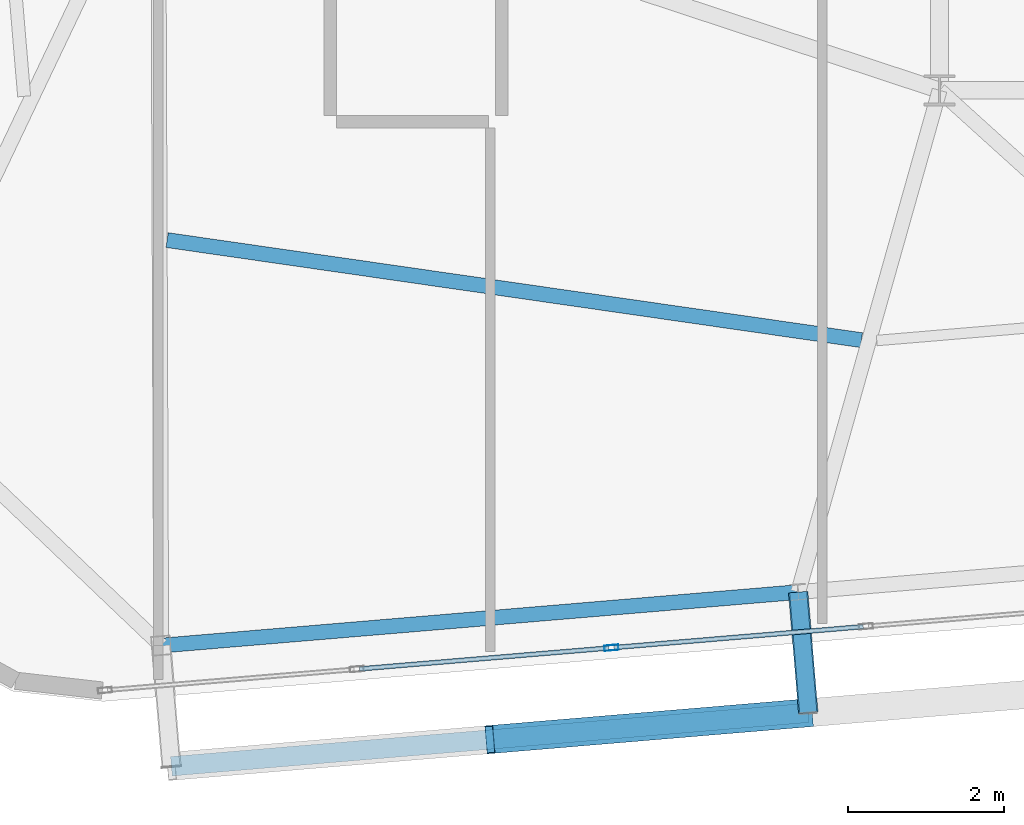
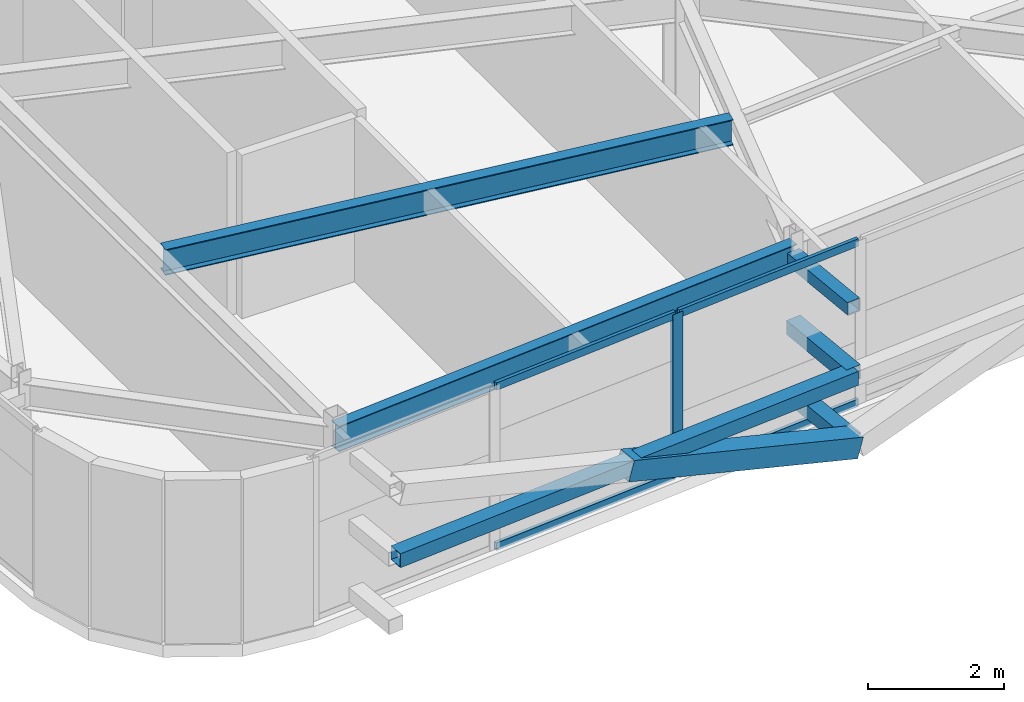
# One storey, part 8 of 46: 10 members, 2 beams, 1 element without a shape of its own.
"""IFC4 building model written with IfcOpenShell, lengths in metres."""

from ifc_helpers import new_model, si_unit, direction, frame, origin, origin_2d, place, context, subcontext, project, spatial, hollow_rectangle, i_section, extrude, source, transform, mapped, material, layer, layer_set, material_profile, profile_set, type_object, element, aggregate, save


model = new_model("IFC4")

# Units and contexts
model_context = context("Model", 3, precision=1e-05, world=origin(), true_north=direction((0.0, 1.0)))
body_context = subcontext(model_context, "Body", "Model", "MODEL_VIEW")
ifc_project = project(units=[si_unit("LENGTHUNIT", "METRE"), si_unit("AREAUNIT", "SQUARE_METRE"), si_unit("VOLUMEUNIT", "CUBIC_METRE"), si_unit("PLANEANGLEUNIT", "RADIAN"), si_unit("MASSUNIT", "GRAM", prefix="KILO")], contexts=[model_context])

# Site, building, storey
site_placement = place(None, origin())
site = spatial("IfcSite", under=ifc_project, at=site_placement, CompositionType="ELEMENT")
building_placement = place(site_placement, origin())
building = spatial("IfcBuilding", under=site, at=building_placement, Name="Taldren Reach Tower", CompositionType="ELEMENT")
storey_placement = place(building_placement, frame((0.0, 0.0, 194.60009765625)))
storey = spatial("IfcBuildingStorey", under=building, at=storey_placement, Name="L59", CompositionType="ELEMENT", Elevation=194.60009765625)

# Members
ifc_material_1 = material(Name="Steel Gr 350 (C350L0)", Category="steel")
ifc_material_profile_1 = material_profile(ifc_material_1, hollow_rectangle(XDim=0.25, YDim=0.25, WallThickness=0.010009765625, at=origin_2d()), Name="250x250x10.0SHS")
ifc_profile_set_1 = profile_set([ifc_material_profile_1], Name="Steel Gr 350 (C350L0)")
member_type_1 = type_object("IfcMemberType", Name="MB-POST250", PredefinedType="POST", material=ifc_profile_set_1)
shared_shape_1 = source(origin(), body_context, "Body", "SweptSolid", [
    extrude(hollow_rectangle(XDim=0.25, YDim=0.25, WallThickness=0.010009765625, at=origin_2d()), origin(), (0.0, 0.0, 1.0), 1.550048828125),
])
for number, where, z_axis, x_axis, name in (
    (1, (26.19091796875, 2.778564453125, 0.219970703125), (0.083632013783, -0.996496706603, 0.0), (0.996496706603, 0.083632013783, 0.0), "Exoskeleton base diaphragm tie strut B4-S2 L59"),
    (2, (26.19091796875, 2.778564453125, 1.434814453125), (0.083632013783, -0.996496706603, 0.0), (0.996496706603, 0.083632013783, 0.0), "Exoskeleton mid-tier diaphragm tie B4-S2 L59"),
):
    element("IfcMember", number, at=place(storey_placement, frame(where, z_axis=z_axis, x_axis=x_axis)), inside=storey, type_object=member_type_1, Name=name, PredefinedType="POST", context=body_context, shape_type="MappedRepresentation", body=[
        mapped(shared_shape_1, transform((0.0, 0.0, 0.0), scale=1.0)),
    ])

# Beams
ifc_material_2 = material(Name="Steel Gr 350 (350PLUS)", Category="steel")
ifc_material_profile_2 = material_profile(ifc_material_2, i_section(OverallWidth=0.18994140625, OverallDepth=0.4541015625, WebThickness=0.008544921875, FlangeThickness=0.0126953125, at=origin_2d()), Name="460UB67.1")
ifc_profile_set_2 = profile_set([ifc_material_profile_2], Name="Steel Gr 350 (350PLUS)")
beam_type_1 = type_object("IfcBeamType", Name="SP-UB460B", PredefinedType="SPANDREL", material=ifc_profile_set_2)
shared_shape_2 = source(origin(), body_context, "Body", "SweptSolid", [
    extrude(i_section(OverallWidth=0.18994140625, OverallDepth=0.4541015625, WebThickness=0.008544921875, FlangeThickness=0.0126953125, at=origin_2d()), origin(), (0.0, 0.0, 1.0), 8.18017578125),
])
beam_1_placement = place(storey_placement, frame((18.03955078125, 2.093994140625, 2.702880859375), z_axis=(0.996492034688, 0.083687662192, 0.0), x_axis=(-0.083687662192, 0.996492034688, 0.0)))
element("IfcBeam", 3, at=beam_1_placement, inside=storey, type_object=beam_type_1, Name="Perimeter spandrel B4 S1-S2 L59", PredefinedType="SPANDREL", context=body_context, shape_type="MappedRepresentation", body=[
    mapped(shared_shape_2, transform((0.0, 0.0, 0.0), scale=1.0)),
])
ifc_material_profile_3 = material_profile(ifc_material_2, i_section(OverallWidth=0.19091796875, OverallDepth=0.4599609375, WebThickness=0.010009765625, FlangeThickness=0.01611328125, at=origin_2d()), Name="460UB82.1")
ifc_profile_set_3 = profile_set([ifc_material_profile_3], Name="Steel Gr 350 (350PLUS)")
beam_type_2 = type_object("IfcBeamType", Name="BM-UB460A", PredefinedType="BEAM", material=ifc_profile_set_3)
shared_shape_3 = source(origin(), body_context, "Body", "SweptSolid", [
    extrude(i_section(OverallWidth=0.19091796875, OverallDepth=0.4599609375, WebThickness=0.010009765625, FlangeThickness=0.01611328125, at=origin_2d()), origin(), (0.0, 0.0, 1.0), 8.9765625),
])
beam_2_placement = place(storey_placement, frame((18.115478515625, 7.283203125, 2.699951171875), z_axis=(0.989776873291, -0.142624475806, 0.0), x_axis=(0.142624475806, 0.989776873291, 0.0)))
element("IfcBeam", 4, at=beam_2_placement, inside=storey, type_object=beam_type_2, Name="Secondary floor beam B4 J1 L59", PredefinedType="BEAM", context=body_context, shape_type="MappedRepresentation", body=[
    mapped(shared_shape_3, transform((0.0, 0.0, 0.0), scale=1.0)),
])

# Members
ifc_material_3 = material(Name="Steel Gr 450 (C450L0)", Category="steel")
ifc_material_profile_4 = material_profile(ifc_material_3, hollow_rectangle(XDim=0.219970703125, YDim=0.219970703125, WallThickness=0.00830078125, at=origin_2d()), Name="220x220x8.2SHS")
ifc_profile_set_4 = profile_set([ifc_material_profile_4], Name="Steel Gr 450 (C450L0)")
member_type_2 = type_object("IfcMemberType", Name="MB-TIE219", PredefinedType="STRUT", material=ifc_profile_set_4)
shared_shape_4 = source(origin(), body_context, "Body", "SweptSolid", [
    extrude(hollow_rectangle(XDim=0.219970703125, YDim=0.219970703125, WallThickness=0.00830078125, at=origin_2d()), origin(), (0.0, 0.0, 1.0), 1.550048828125),
])
member_1_placement = place(storey_placement, frame((26.19091796875, 2.778564453125, 2.64990234375), z_axis=(0.083632013783, -0.996496706603, 0.0), x_axis=(0.996496706603, 0.083632013783, 0.0)))
element("IfcMember", 5, at=member_1_placement, inside=storey, type_object=member_type_2, Name="Exoskeleton diaphragm tie strut B4-S2 L59", PredefinedType="STRUT", context=body_context, shape_type="MappedRepresentation", body=[
    mapped(shared_shape_4, transform((0.0, 0.0, 0.0), scale=1.0)),
])
shared_shape_5 = source(origin(), body_context, "Body", "SweptSolid", [
    extrude(hollow_rectangle(XDim=0.25, YDim=0.25, WallThickness=0.010009765625, at=origin_2d()), origin(), (0.0, 0.0, 1.0), 8.1796875),
])
member_2_placement = place(storey_placement, frame((18.16943359375, 0.549560546875, 1.434814453125), z_axis=(0.996494314327, 0.083660513465, 0.0), x_axis=(-0.083660513465, 0.996494314327, 0.0)))
element("IfcMember", 6, at=member_2_placement, inside=storey, type_object=member_type_1, Name="Exoskeleton mid-height ring chord B4-S1 L59", PredefinedType="POST", context=body_context, shape_type="MappedRepresentation", body=[
    mapped(shared_shape_5, transform((0.0, 0.0, 0.0), scale=1.0)),
])
ifc_material_profile_5 = material_profile(ifc_material_3, hollow_rectangle(XDim=0.360107421875, YDim=0.360107421875, WallThickness=0.0126953125, at=origin_2d()), Name="360x360x12.7SHS")
ifc_profile_set_5 = profile_set([ifc_material_profile_5], Name="Steel Gr 450 (C450L0)")
member_type_3 = type_object("IfcMemberType", Name="MB-EXO356", PredefinedType="BRACE", material=ifc_profile_set_5)
shared_shape_6 = source(origin(), body_context, "Body", "SweptSolid", [
    extrude(hollow_rectangle(XDim=0.360107421875, YDim=0.360107421875, WallThickness=0.0126953125, at=origin_2d()), origin(), (0.0, 0.0, 1.0), 4.266357421875),
])
member_3_placement = place(storey_placement, frame((26.320556640625, 1.23388671875, 0.219970703125), z_axis=(-0.955239715981, -0.080228004661, 0.28474647018), x_axis=(0.083692640416, -0.996491616593, 0.0)))
element("IfcMember", 7, at=member_3_placement, inside=storey, type_object=member_type_3, Name="Exoskeleton Diagrid Brace B4-S1 L59", PredefinedType="BRACE", context=body_context, shape_type="MappedRepresentation", body=[
    mapped(shared_shape_6, transform((0.0, 0.0, 0.0), scale=1.0)),
])

# Curtain wall, members
ifc_material_4 = material(Name="Aluminium and Low-E Glass Unitised System", Category="aluminium")
ifc_layer = layer(ifc_material_4, 0.159912109375)
ifc_layer_set = layer_set([ifc_layer], Name="Aluminium and Low-E Glass Unitised System")
curtain_wall_type = type_object("IfcCurtainWallType", Name="CW-SYS-5", PredefinedType="NOTDEFINED", material=ifc_layer_set)
curtain_wall_placement = place(storey_placement, origin())
curtain_wall = element("IfcCurtainWall", 8, at=curtain_wall_placement, inside=storey, type_object=curtain_wall_type, Name="Unitised curtain wall CW-L59-S", PredefinedType="NOTDEFINED")
ifc_material_5 = material(Name="Anodised Aluminium 6063-T6", Category="aluminium")
ifc_material_profile_6 = material_profile(ifc_material_5, hollow_rectangle(XDim=0.070068359375, YDim=0.179931640625, WallThickness=0.00390625, at=origin_2d()), Name="ALU-180x70x4RHS")
ifc_profile_set_6 = profile_set([ifc_material_profile_6], Name="Anodised Aluminium 6063-T6")
member_type_4 = type_object("IfcMemberType", Name="CW-MUL-180", PredefinedType="MULLION", material=ifc_profile_set_6)
shared_shape_7 = source(origin(), body_context, "Body", "SweptSolid", [
    extrude(hollow_rectangle(XDim=0.070068359375, YDim=0.179931640625, WallThickness=0.00390625, at=origin_2d()), origin(), (0.0, 0.0, 1.0), 2.929931640625),
])
member_4_placement = place(storey_placement, frame((23.80078125, 2.06591796875, 0.0), z_axis=(0.0, 0.0, 1.0), x_axis=(-0.083677894865, 0.996492854922, 0.0)))
member_4 = element("IfcMember", 9, at=member_4_placement, type_object=member_type_4, Name="CW-5 mullion 3", PredefinedType="MULLION", context=body_context, shape_type="MappedRepresentation", body=[
    mapped(shared_shape_7, transform((0.0, 0.0, 0.0), scale=1.0)),
])
ifc_material_profile_7 = material_profile(ifc_material_5, hollow_rectangle(XDim=0.06005859375, YDim=0.135009765625, WallThickness=0.00341796875, at=origin_2d()), Name="ALU-135x60x3.5RHS")
ifc_profile_set_7 = profile_set([ifc_material_profile_7], Name="Anodised Aluminium 6063-T6")
member_type_5 = type_object("IfcMemberType", Name="CW-TRN-150", PredefinedType="USERDEFINED", material=ifc_profile_set_7)
shared_shape_8 = source(origin(), body_context, "Body", "SweptSolid", [
    extrude(hollow_rectangle(XDim=0.06005859375, YDim=0.135009765625, WallThickness=0.00341796875, at=origin_2d()), origin(), (0.0, 0.0, 1.0), 3.19921875),
])
member_5_placement = place(storey_placement, frame((20.577880859375, 1.79541015625, 0.02978515625), z_axis=(0.996496109493, 0.083639128198, 0.0), x_axis=(-0.083639128198, 0.996496109493, 0.0)))
member_5 = element("IfcMember", 10, at=member_5_placement, type_object=member_type_5, Name="CW-5 transom 2.1", ObjectType="TRANSOM", PredefinedType="USERDEFINED", context=body_context, shape_type="MappedRepresentation", body=[
    mapped(shared_shape_8, transform((0.0, 0.0, 0.0), scale=1.0)),
])
member_6_placement = place(storey_placement, frame((20.577880859375, 1.79541015625, 2.89990234375), z_axis=(0.996496109493, 0.083639128198, 0.0), x_axis=(-0.083639128198, 0.996496109493, 0.0)))
member_6 = element("IfcMember", 11, at=member_6_placement, type_object=member_type_5, Name="CW-5 transom 2.2", ObjectType="TRANSOM", PredefinedType="USERDEFINED", context=body_context, shape_type="MappedRepresentation", body=[
    mapped(shared_shape_8, transform((0.0, 0.0, 0.0), scale=1.0)),
])
member_7_placement = place(storey_placement, frame((23.83544921875, 2.06884765625, 0.02978515625), z_axis=(0.996489746258, 0.083714906697, 0.0), x_axis=(-0.083714906697, 0.996489746258, 0.0)))
member_7 = element("IfcMember", 12, at=member_7_placement, type_object=member_type_5, Name="CW-5 transom 3.1", ObjectType="TRANSOM", PredefinedType="USERDEFINED", context=body_context, shape_type="MappedRepresentation", body=[
    mapped(shared_shape_8, transform((0.0, 0.0, 0.0), scale=1.0)),
])
member_8_placement = place(storey_placement, frame((23.83544921875, 2.06884765625, 2.89990234375), z_axis=(0.996489746258, 0.083714906697, 0.0), x_axis=(-0.083714906697, 0.996489746258, 0.0)))
member_8 = element("IfcMember", 13, at=member_8_placement, type_object=member_type_5, Name="CW-5 transom 3.2", ObjectType="TRANSOM", PredefinedType="USERDEFINED", context=body_context, shape_type="MappedRepresentation", body=[
    mapped(shared_shape_8, transform((0.0, 0.0, 0.0), scale=1.0)),
])
aggregate(curtain_wall, [member_4, member_5, member_6, member_7, member_8])

save(model, "model.ifc")
